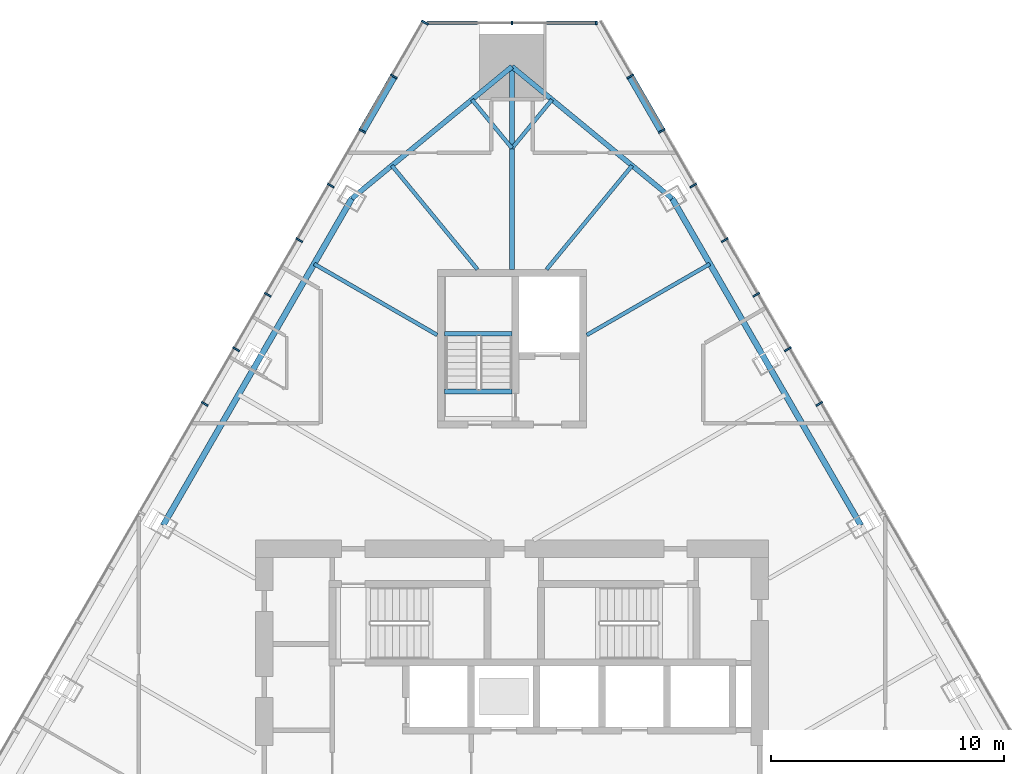
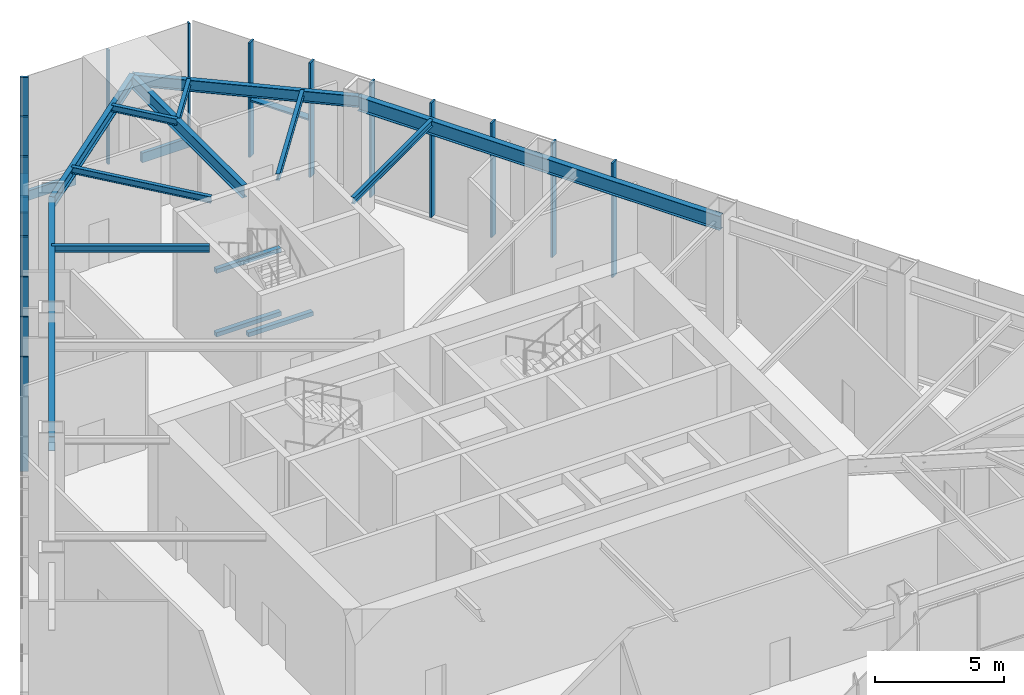
# One storey, part 7 of 16: 21 members, 14 beams, 3 elements without a shape of their own.
"""IFC4 building model written with IfcOpenShell, lengths in metres."""

from ifc_helpers import new_model, si_unit, direction, frame, origin, origin_2d, place, context, subcontext, project, spatial, rectangle, i_section, extrude, material, layer, layer_set, material_profile, profile_set, type_object, element, aggregate, save


model = new_model("IFC4")

# Units and contexts
model_context = context("Model", 3, precision=1e-05, world=origin(), true_north=direction((0.0, 1.0)))
body_context = subcontext(model_context, "Body", "Model", "MODEL_VIEW")
ifc_project = project(units=[si_unit("LENGTHUNIT", "METRE"), si_unit("AREAUNIT", "SQUARE_METRE"), si_unit("VOLUMEUNIT", "CUBIC_METRE"), si_unit("PLANEANGLEUNIT", "RADIAN"), si_unit("MASSUNIT", "GRAM", prefix="KILO")], contexts=[model_context])

# Site, building, storey
site_placement = place(None, origin())
site = spatial("IfcSite", under=ifc_project, at=site_placement, CompositionType="ELEMENT")
building_placement = place(site_placement, origin())
building = spatial("IfcBuilding", under=site, at=building_placement, Name="Firuza Gate Tower and Library", CompositionType="ELEMENT")
storey_placement = place(building_placement, frame((0.0, 0.0, 241.60009765625)))
storey = spatial("IfcBuildingStorey", under=building, at=storey_placement, Name="L57", CompositionType="ELEMENT", Elevation=241.60009765625)

# Curtain wall, members
ifc_material_1 = material(Name="Aluminium 6063-T6", Category="aluminium")
ifc_layer_1 = layer(ifc_material_1, 0.14990234375)
ifc_layer_set_1 = layer_set([ifc_layer_1], Name="Corner curtain wall, chamfers")
curtain_wall_type_1 = type_object("IfcCurtainWallType", Name="Corner curtain wall, chamfers", PredefinedType="NOTDEFINED", material=ifc_layer_set_1)
placement = place(storey_placement, origin())
curtain_wall_1 = element("IfcCurtainWall", 1, at=placement, inside=storey, type_object=curtain_wall_type_1, Name="CW4 L57 N corner", PredefinedType="NOTDEFINED")
ifc_material_2 = material(Name="Aluminium 6063-T6", Category="aluminium")
ifc_material_profile_1 = material_profile(ifc_material_2, rectangle(XDim=0.14990234375, YDim=0.080078125, at=origin_2d()))
ifc_profile_set_1 = profile_set([ifc_material_profile_1], Name="Aluminium 6063-T6")
member_type_1 = type_object("IfcMemberType", Name="Curtain wall mullion 80x150", PredefinedType="MULLION", material=ifc_profile_set_1)
member_1_placement = place(storey_placement, frame((78.603271484375, 105.169189453125, 0.14990234375), z_axis=(0.0, 0.0, 1.0), x_axis=(0.0, -1.0, 0.0)))
member_1 = element("IfcMember", 2, at=member_1_placement, type_object=member_type_1, Name="Mullion", PredefinedType="MULLION", context=body_context, shape_type="SweptSolid", body=[
    extrude(rectangle(XDim=0.14990234375, YDim=0.080078125, at=origin_2d()), origin(), (0.0, 0.0, 1.0), 5.39990234375),
])
member_2_placement = place(storey_placement, frame((75.0, 105.169189453125, 0.14990234375), z_axis=(0.0, 0.0, 1.0), x_axis=(0.0, -1.0, 0.0)))
member_2 = element("IfcMember", 3, at=member_2_placement, type_object=member_type_1, Name="Mullion", PredefinedType="MULLION", context=body_context, shape_type="SweptSolid", body=[
    extrude(rectangle(XDim=0.14990234375, YDim=0.080078125, at=origin_2d()), origin(), (0.0, 0.0, 1.0), 5.39990234375),
])

ifc_material_3 = material(Name="Aluminium 6063-T6", Category="aluminium")
ifc_layer_2 = layer(ifc_material_3, 0.14990234375)
ifc_layer_set_2 = layer_set([ifc_layer_2], Name="Unitised curtain wall, hotel")
curtain_wall_type_2 = type_object("IfcCurtainWallType", Name="Unitised curtain wall, hotel", PredefinedType="NOTDEFINED", material=ifc_layer_set_2)
curtain_wall_2 = element("IfcCurtainWall", 4, at=placement, inside=storey, type_object=curtain_wall_type_2, Name="CW2 L57 E face", PredefinedType="NOTDEFINED")
ifc_material_4 = material(Name="Aluminium 6063-T6", Category="aluminium")
ifc_material_profile_2 = material_profile(ifc_material_4, rectangle(XDim=0.320068359375, YDim=0.080078125, at=origin_2d()))
ifc_profile_set_2 = profile_set([ifc_material_profile_2], Name="Aluminium 6063-T6")
member_type_2 = type_object("IfcMemberType", Name="Curtain wall mullion 80x320", PredefinedType="MULLION", material=ifc_profile_set_2)
member_3_placement = place(storey_placement, frame((88.169189453125, 88.840087890625, 0.14990234375), z_axis=(0.0, 0.0, 1.0), x_axis=(-0.866025403784, -0.5, 0.0)))
member_3 = element("IfcMember", 5, at=member_3_placement, type_object=member_type_2, Name="Mullion", PredefinedType="MULLION", context=body_context, shape_type="SweptSolid", body=[
    extrude(rectangle(XDim=0.320068359375, YDim=0.080078125, at=origin_2d()), origin(), (0.0, 0.0, 1.0), 5.39990234375),
])
member_4_placement = place(storey_placement, frame((86.81884765625, 91.178955078125, 0.14990234375), z_axis=(0.0, 0.0, 1.0), x_axis=(-0.866025403784, -0.5, 0.0)))
member_4 = element("IfcMember", 6, at=member_4_placement, type_object=member_type_2, Name="Mullion", PredefinedType="MULLION", context=body_context, shape_type="SweptSolid", body=[
    extrude(rectangle(XDim=0.320068359375, YDim=0.080078125, at=origin_2d()), origin(), (0.0, 0.0, 1.0), 5.39990234375),
])
member_5_placement = place(storey_placement, frame((85.468505859375, 93.517578125, 0.14990234375), z_axis=(0.0, 0.0, 1.0), x_axis=(-0.866025403784, -0.5, 0.0)))
member_5 = element("IfcMember", 7, at=member_5_placement, type_object=member_type_2, Name="Mullion", PredefinedType="MULLION", context=body_context, shape_type="SweptSolid", body=[
    extrude(rectangle(XDim=0.320068359375, YDim=0.080078125, at=origin_2d()), origin(), (0.0, 0.0, 1.0), 5.39990234375),
])
member_6_placement = place(storey_placement, frame((84.1181640625, 95.8564453125, 0.14990234375), z_axis=(0.0, 0.0, 1.0), x_axis=(-0.866025403784, -0.5, 0.0)))
member_6 = element("IfcMember", 8, at=member_6_placement, type_object=member_type_2, Name="Mullion", PredefinedType="MULLION", context=body_context, shape_type="SweptSolid", body=[
    extrude(rectangle(XDim=0.320068359375, YDim=0.080078125, at=origin_2d()), origin(), (0.0, 0.0, 1.0), 5.39990234375),
])
member_7_placement = place(storey_placement, frame((82.767822265625, 98.1953125, 0.14990234375), z_axis=(0.0, 0.0, 1.0), x_axis=(-0.866025403784, -0.5, 0.0)))
member_7 = element("IfcMember", 9, at=member_7_placement, type_object=member_type_2, Name="Mullion", PredefinedType="MULLION", context=body_context, shape_type="SweptSolid", body=[
    extrude(rectangle(XDim=0.320068359375, YDim=0.080078125, at=origin_2d()), origin(), (0.0, 0.0, 1.0), 5.39990234375),
])
member_8_placement = place(storey_placement, frame((81.41748046875, 100.5341796875, 0.14990234375), z_axis=(0.0, 0.0, 1.0), x_axis=(-0.866025403784, -0.5, 0.0)))
member_8 = element("IfcMember", 10, at=member_8_placement, type_object=member_type_2, Name="Mullion", PredefinedType="MULLION", context=body_context, shape_type="SweptSolid", body=[
    extrude(rectangle(XDim=0.320068359375, YDim=0.080078125, at=origin_2d()), origin(), (0.0, 0.0, 1.0), 5.39990234375),
])
member_9_placement = place(storey_placement, frame((80.067138671875, 102.873046875, 0.14990234375), z_axis=(0.0, 0.0, 1.0), x_axis=(-0.866025403784, -0.5, 0.0)))
member_9 = element("IfcMember", 11, at=member_9_placement, type_object=member_type_2, Name="Mullion", PredefinedType="MULLION", context=body_context, shape_type="SweptSolid", body=[
    extrude(rectangle(XDim=0.320068359375, YDim=0.080078125, at=origin_2d()), origin(), (0.0, 0.0, 1.0), 5.39990234375),
])

curtain_wall_3 = element("IfcCurtainWall", 12, at=placement, inside=storey, type_object=curtain_wall_type_2, Name="CW2 L57 W face", PredefinedType="NOTDEFINED")
member_10_placement = place(storey_placement, frame((71.26318359375, 105.17724609375, 0.14990234375), z_axis=(0.0, 0.0, 1.0), x_axis=(0.866025403784, -0.5, 0.0)))
member_10 = element("IfcMember", 13, at=member_10_placement, type_object=member_type_2, Name="Mullion", PredefinedType="MULLION", context=body_context, shape_type="SweptSolid", body=[
    extrude(rectangle(XDim=0.320068359375, YDim=0.080078125, at=origin_2d()), origin(), (0.0, 0.0, 1.0), 5.39990234375),
])
member_11_placement = place(storey_placement, frame((69.932861328125, 102.873046875, 0.14990234375), z_axis=(0.0, 0.0, 1.0), x_axis=(0.866025403784, -0.5, 0.0)))
member_11 = element("IfcMember", 14, at=member_11_placement, type_object=member_type_2, Name="Mullion", PredefinedType="MULLION", context=body_context, shape_type="SweptSolid", body=[
    extrude(rectangle(XDim=0.320068359375, YDim=0.080078125, at=origin_2d()), origin(), (0.0, 0.0, 1.0), 5.39990234375),
])
member_12_placement = place(storey_placement, frame((68.58251953125, 100.5341796875, 0.14990234375), z_axis=(0.0, 0.0, 1.0), x_axis=(0.866025403784, -0.5, 0.0)))
member_12 = element("IfcMember", 15, at=member_12_placement, type_object=member_type_2, Name="Mullion", PredefinedType="MULLION", context=body_context, shape_type="SweptSolid", body=[
    extrude(rectangle(XDim=0.320068359375, YDim=0.080078125, at=origin_2d()), origin(), (0.0, 0.0, 1.0), 5.39990234375),
])
member_13_placement = place(storey_placement, frame((67.232177734375, 98.1953125, 0.14990234375), z_axis=(0.0, 0.0, 1.0), x_axis=(0.866025403784, -0.5, 0.0)))
member_13 = element("IfcMember", 16, at=member_13_placement, type_object=member_type_2, Name="Mullion", PredefinedType="MULLION", context=body_context, shape_type="SweptSolid", body=[
    extrude(rectangle(XDim=0.320068359375, YDim=0.080078125, at=origin_2d()), origin(), (0.0, 0.0, 1.0), 5.39990234375),
])
member_14_placement = place(storey_placement, frame((65.8818359375, 95.8564453125, 0.14990234375), z_axis=(0.0, 0.0, 1.0), x_axis=(0.866025403784, -0.5, 0.0)))
member_14 = element("IfcMember", 17, at=member_14_placement, type_object=member_type_2, Name="Mullion", PredefinedType="MULLION", context=body_context, shape_type="SweptSolid", body=[
    extrude(rectangle(XDim=0.320068359375, YDim=0.080078125, at=origin_2d()), origin(), (0.0, 0.0, 1.0), 5.39990234375),
])
member_15_placement = place(storey_placement, frame((64.531494140625, 93.517578125, 0.14990234375), z_axis=(0.0, 0.0, 1.0), x_axis=(0.866025403784, -0.5, 0.0)))
member_15 = element("IfcMember", 18, at=member_15_placement, type_object=member_type_2, Name="Mullion", PredefinedType="MULLION", context=body_context, shape_type="SweptSolid", body=[
    extrude(rectangle(XDim=0.320068359375, YDim=0.080078125, at=origin_2d()), origin(), (0.0, 0.0, 1.0), 5.39990234375),
])
member_16_placement = place(storey_placement, frame((63.18115234375, 91.178955078125, 0.14990234375), z_axis=(0.0, 0.0, 1.0), x_axis=(0.866025403784, -0.5, 0.0)))
member_16 = element("IfcMember", 19, at=member_16_placement, type_object=member_type_2, Name="Mullion", PredefinedType="MULLION", context=body_context, shape_type="SweptSolid", body=[
    extrude(rectangle(XDim=0.320068359375, YDim=0.080078125, at=origin_2d()), origin(), (0.0, 0.0, 1.0), 5.39990234375),
])
member_17_placement = place(storey_placement, frame((61.830810546875, 88.840087890625, 0.14990234375), z_axis=(0.0, 0.0, 1.0), x_axis=(0.866025403784, -0.5, 0.0)))
member_17 = element("IfcMember", 20, at=member_17_placement, type_object=member_type_2, Name="Mullion", PredefinedType="MULLION", context=body_context, shape_type="SweptSolid", body=[
    extrude(rectangle(XDim=0.320068359375, YDim=0.080078125, at=origin_2d()), origin(), (0.0, 0.0, 1.0), 5.39990234375),
])

# Member
ifc_material_5 = material(Name="Aluminium 6063-T6", Category="aluminium")
ifc_material_profile_3 = material_profile(ifc_material_5, rectangle(XDim=0.14990234375, YDim=0.449951171875, at=origin_2d()))
ifc_profile_set_3 = profile_set([ifc_material_profile_3], Name="Aluminium 6063-T6")
member_type_3 = type_object("IfcMemberType", Name="Curtain wall transom 450x150", PredefinedType="USERDEFINED", material=ifc_profile_set_3)
member_18_placement = place(storey_placement, frame((78.643310546875, 105.169189453125, -0.0751953125), z_axis=(-1.0, 0.0, 0.0), x_axis=(0.0, -1.0, 0.0)))
member_18 = element("IfcMember", 21, at=member_18_placement, type_object=member_type_3, Name="Transom", ObjectType="TRANSOM", PredefinedType="USERDEFINED", context=body_context, shape_type="SweptSolid", body=[
    extrude(rectangle(XDim=0.14990234375, YDim=0.449951171875, at=origin_2d()), origin(), (0.0, 0.0, 1.0), 2.163330078125),
])

member_19_placement = place(storey_placement, frame((73.52001953125, 105.169189453125, -0.0751953125), z_axis=(-1.0, 0.0, 0.0), x_axis=(0.0, -1.0, 0.0)))
member_19 = element("IfcMember", 22, at=member_19_placement, type_object=member_type_3, Name="Transom", ObjectType="TRANSOM", PredefinedType="USERDEFINED", context=body_context, shape_type="SweptSolid", body=[
    extrude(rectangle(XDim=0.14990234375, YDim=0.449951171875, at=origin_2d()), origin(), (0.0, 0.0, 1.0), 2.163330078125),
])

aggregate(curtain_wall_1, [member_1, member_2, member_18, member_19])

ifc_material_6 = material(Name="Aluminium 6063-T6", Category="aluminium")
ifc_material_profile_4 = material_profile(ifc_material_6, rectangle(XDim=0.320068359375, YDim=0.080078125, at=origin_2d()))
ifc_profile_set_4 = profile_set([ifc_material_profile_4], Name="Aluminium 6063-T6")
member_type_4 = type_object("IfcMemberType", Name="Curtain wall transom 80x320", PredefinedType="USERDEFINED", material=ifc_profile_set_4)
member_20_placement = place(storey_placement, frame((81.3974609375, 100.56884765625, 2.849853515625), z_axis=(-0.499996639036, 0.866027344229, 0.0), x_axis=(-0.866027344229, -0.499996639036, 0.0)))
member_20 = element("IfcMember", 23, at=member_20_placement, type_object=member_type_4, Name="Transom", ObjectType="TRANSOM", PredefinedType="USERDEFINED", context=body_context, shape_type="SweptSolid", body=[
    extrude(rectangle(XDim=0.320068359375, YDim=0.080078125, at=origin_2d()), origin(), (0.0, 0.0, 1.0), 2.62060546875),
])

aggregate(curtain_wall_2, [member_3, member_4, member_5, member_6, member_7, member_8, member_9, member_20])

member_21_placement = place(storey_placement, frame((69.912841796875, 102.83837890625, 2.849853515625), z_axis=(-0.499996639036, -0.866027344229, 0.0), x_axis=(0.866027344229, -0.499996639036, 0.0)))
member_21 = element("IfcMember", 24, at=member_21_placement, type_object=member_type_4, Name="Transom", ObjectType="TRANSOM", PredefinedType="USERDEFINED", context=body_context, shape_type="SweptSolid", body=[
    extrude(rectangle(XDim=0.320068359375, YDim=0.080078125, at=origin_2d()), origin(), (0.0, 0.0, 1.0), 2.62060546875),
])

aggregate(curtain_wall_3, [member_10, member_11, member_12, member_13, member_14, member_15, member_16, member_17, member_21])

# Beams
ifc_material_7 = material(Name="Concrete C35/45", Category="concrete")
ifc_material_profile_5 = material_profile(ifc_material_7, rectangle(XDim=0.199951171875, YDim=0.199951171875, at=origin_2d()))
ifc_profile_set_5 = profile_set([ifc_material_profile_5], Name="Concrete C35/45")
beam_type_1 = type_object("IfcBeamType", Name="Stair landing bearer 200x200", PredefinedType="BEAM", material=ifc_profile_set_5)
for number, where, z_axis, x_axis, name in (
    (25, (75.0, 91.85009765625, 1.199951171875), (-1.0, 0.0, 0.0), (0.0, -1.0, 0.0), "Landing bearer L57 stair 3"),
    (26, (75.0, 89.3701171875, 2.699951171875), (-1.0, 0.0, 0.0), (0.0, -1.0, 0.0), "Landing bearer L57 stair 3"),
    (27, (75.0, 91.85009765625, 4.199951171875), (-1.0, 0.0, 0.0), (0.0, -1.0, 0.0), "Landing bearer L57 stair 3"),
):
    element("IfcBeam", number, at=place(storey_placement, frame(where, z_axis=z_axis, x_axis=x_axis)), inside=storey, type_object=beam_type_1, Name=name, PredefinedType="BEAM", context=body_context, shape_type="SweptSolid", body=[
        extrude(rectangle(XDim=0.199951171875, YDim=0.199951171875, at=origin_2d()), origin(), (0.0, 0.0, 1.0), 2.89990234375),
    ])
ifc_material_8 = material(Name="Steel S355", Category="steel")
ifc_material_profile_6 = material_profile(ifc_material_8, i_section(OverallWidth=0.1650390625, OverallDepth=0.31005859375, WebThickness=0.005859375, FlangeThickness=0.009765625, at=origin_2d()))
ifc_profile_set_6 = profile_set([ifc_material_profile_6], Name="Steel S355")
beam_type_2 = type_object("IfcBeamType", Name="W310x39 Floor beam", PredefinedType="JOIST", material=ifc_profile_set_6)
beam_1_placement = place(storey_placement, frame((83.481689453125, 94.8388671875, 5.39501953125), z_axis=(-0.8660149293, -0.500018141901, 0.0), x_axis=(0.500018141901, -0.8660149293, 0.0)))
element("IfcBeam", 28, at=beam_1_placement, inside=storey, type_object=beam_type_2, Name="Floor beam L57 s54", PredefinedType="JOIST", context=body_context, shape_type="SweptSolid", body=[
    extrude(i_section(OverallWidth=0.1650390625, OverallDepth=0.31005859375, WebThickness=0.005859375, FlangeThickness=0.009765625, at=origin_2d()), origin(), (0.0, 0.0, 1.0), 6.098876953125),
])
beam_2_placement = place(storey_placement, frame((80.148193359375, 99.0537109375, 5.39501953125), z_axis=(-0.635787337806, -0.771864276338, 0.0), x_axis=(0.771864276338, -0.635787337806, 0.0)))
element("IfcBeam", 29, at=beam_2_placement, inside=storey, type_object=beam_type_2, Name="Floor beam L57 s60", PredefinedType="JOIST", context=body_context, shape_type="SweptSolid", body=[
    extrude(i_section(OverallWidth=0.1650390625, OverallDepth=0.31005859375, WebThickness=0.005859375, FlangeThickness=0.009765625, at=origin_2d()), origin(), (0.0, 0.0, 1.0), 5.77001953125),
])
for number, where, z_axis, x_axis, name in (
    (30, (76.716064453125, 101.880859375, 5.39501953125), (-0.635761147313, -0.771885848793, 0.0), (0.771885848793, -0.635761147313, 0.0), "Floor beam L57 s61"),
    (31, (73.283935546875, 101.880859375, 5.39501953125), (0.635761147313, -0.771885848793, 0.0), (0.771885848793, 0.635761147313, 0.0), "Floor beam L57 s70"),
):
    element("IfcBeam", number, at=place(storey_placement, frame(where, z_axis=z_axis, x_axis=x_axis)), inside=storey, type_object=beam_type_2, Name=name, PredefinedType="JOIST", context=body_context, shape_type="SweptSolid", body=[
        extrude(i_section(OverallWidth=0.1650390625, OverallDepth=0.31005859375, WebThickness=0.005859375, FlangeThickness=0.009765625, at=origin_2d()), origin(), (0.0, 0.0, 1.0), 2.69921875),
    ])
beam_3_placement = place(storey_placement, frame((69.851806640625, 99.0537109375, 5.39501953125), z_axis=(0.635787337806, -0.771864276338, 0.0), x_axis=(0.771864276338, 0.635787337806, 0.0)))
element("IfcBeam", 32, at=beam_3_placement, inside=storey, type_object=beam_type_2, Name="Floor beam L57 s71", PredefinedType="JOIST", context=body_context, shape_type="SweptSolid", body=[
    extrude(i_section(OverallWidth=0.1650390625, OverallDepth=0.31005859375, WebThickness=0.005859375, FlangeThickness=0.009765625, at=origin_2d()), origin(), (0.0, 0.0, 1.0), 5.77001953125),
])
beam_4_placement = place(storey_placement, frame((66.518310546875, 94.8388671875, 5.39501953125), z_axis=(0.8660149293, -0.500018141901, 0.0), x_axis=(0.500018141901, 0.8660149293, 0.0)))
element("IfcBeam", 33, at=beam_4_placement, inside=storey, type_object=beam_type_2, Name="Floor beam L57 s80", PredefinedType="JOIST", context=body_context, shape_type="SweptSolid", body=[
    extrude(i_section(OverallWidth=0.1650390625, OverallDepth=0.31005859375, WebThickness=0.005859375, FlangeThickness=0.009765625, at=origin_2d()), origin(), (0.0, 0.0, 1.0), 6.098876953125),
])
ifc_material_9 = material(Name="Steel S355", Category="steel")
ifc_material_profile_7 = material_profile(ifc_material_9, i_section(OverallWidth=0.212890625, OverallDepth=0.5390625, WebThickness=0.01171875, FlangeThickness=0.018798828125, at=origin_2d()))
ifc_profile_set_7 = profile_set([ifc_material_profile_7], Name="Steel S355")
beam_type_3 = type_object("IfcBeamType", Name="W530x109 Edge beam", PredefinedType="SPANDREL", material=ifc_profile_set_7)
for number, where, z_axis, x_axis, name in (
    (34, (81.8642578125, 97.640380859375, 5.280517578125), (-0.771881100133, 0.635766912679, 0.0), (-0.635766912679, -0.771881100133, 0.0), "Edge beam L57 e60"),
    (35, (75.0, 103.294189453125, 5.280517578125), (-0.771881100133, -0.635766912679, 0.0), (0.635766912679, -0.771881100133, 0.0), "Edge beam L57 e70"),
):
    element("IfcBeam", number, at=place(storey_placement, frame(where, z_axis=z_axis, x_axis=x_axis)), inside=storey, type_object=beam_type_3, Name=name, PredefinedType="SPANDREL", context=body_context, shape_type="SweptSolid", body=[
        extrude(i_section(OverallWidth=0.212890625, OverallDepth=0.5390625, WebThickness=0.01171875, FlangeThickness=0.018798828125, at=origin_2d()), origin(), (0.0, 0.0, 1.0), 8.892822265625),
    ])
ifc_material_10 = material(Name="Steel S355", Category="steel")
ifc_material_profile_8 = material_profile(ifc_material_10, i_section(OverallWidth=0.22802734375, OverallDepth=0.60302734375, WebThickness=0.010498046875, FlangeThickness=0.014892578125, at=origin_2d()))
ifc_profile_set_8 = profile_set([ifc_material_profile_8], Name="Steel S355")
beam_type_4 = type_object("IfcBeamType", Name="W610x101 Girder", PredefinedType="BEAM", material=ifc_profile_set_8)
beam_5_placement = place(storey_placement, frame((75.0, 103.294189453125, 5.248291015625), z_axis=(0.0, -1.0, 0.0), x_axis=(1.0, 0.0, 0.0)))
element("IfcBeam", 36, at=beam_5_placement, inside=storey, type_object=beam_type_4, Name="Girder L57 gN", PredefinedType="BEAM", context=body_context, shape_type="SweptSolid", body=[
    extrude(i_section(OverallWidth=0.22802734375, OverallDepth=0.60302734375, WebThickness=0.010498046875, FlangeThickness=0.014892578125, at=origin_2d()), origin(), (0.0, 0.0, 1.0), 8.694091796875),
])
ifc_material_11 = material(Name="Steel S355", Category="steel")
ifc_material_profile_9 = material_profile(ifc_material_11, i_section(OverallWidth=0.2529296875, OverallDepth=0.677978515625, WebThickness=0.01171875, FlangeThickness=0.016357421875, at=origin_2d()))
ifc_profile_set_9 = profile_set([ifc_material_profile_9], Name="Steel S355")
beam_type_5 = type_object("IfcBeamType", Name="W690x125 Edge beam", PredefinedType="SPANDREL", material=ifc_profile_set_9)
for number, where, z_axis, x_axis, name in (
    (37, (89.951904296875, 83.63232421875, 5.2109375), (-0.500004229262, 0.866022962005, 0.0), (-0.866022962005, -0.500004229262, 0.0), "Edge beam L57 e52"),
    (38, (68.1357421875, 97.640380859375, 5.2109375), (-0.500004229262, -0.866022962005, 0.0), (0.866022962005, -0.500004229262, 0.0), "Edge beam L57 e80"),
):
    element("IfcBeam", number, at=place(storey_placement, frame(where, z_axis=z_axis, x_axis=x_axis)), inside=storey, type_object=beam_type_5, Name=name, PredefinedType="SPANDREL", context=body_context, shape_type="SweptSolid", body=[
        extrude(i_section(OverallWidth=0.2529296875, OverallDepth=0.677978515625, WebThickness=0.01171875, FlangeThickness=0.016357421875, at=origin_2d()), origin(), (0.0, 0.0, 1.0), 16.175048828125),
    ])

save(model, "model.ifc")
